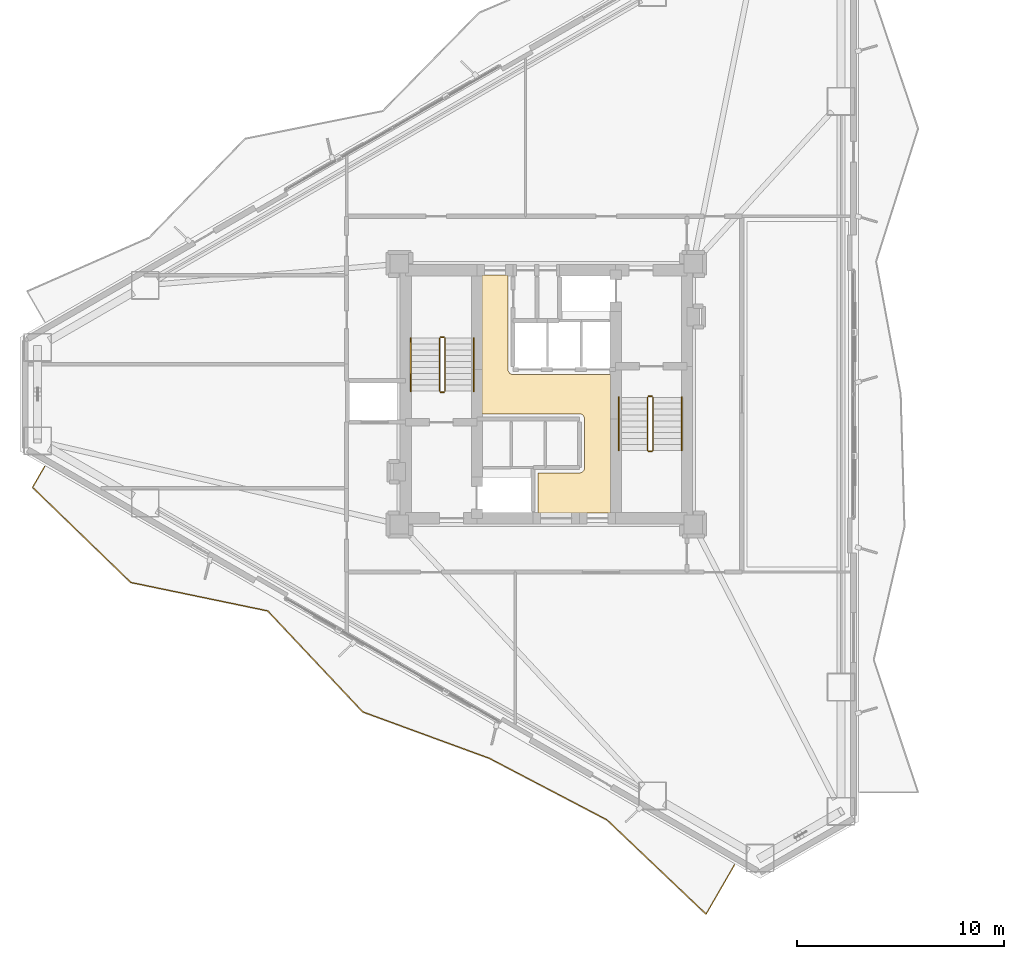
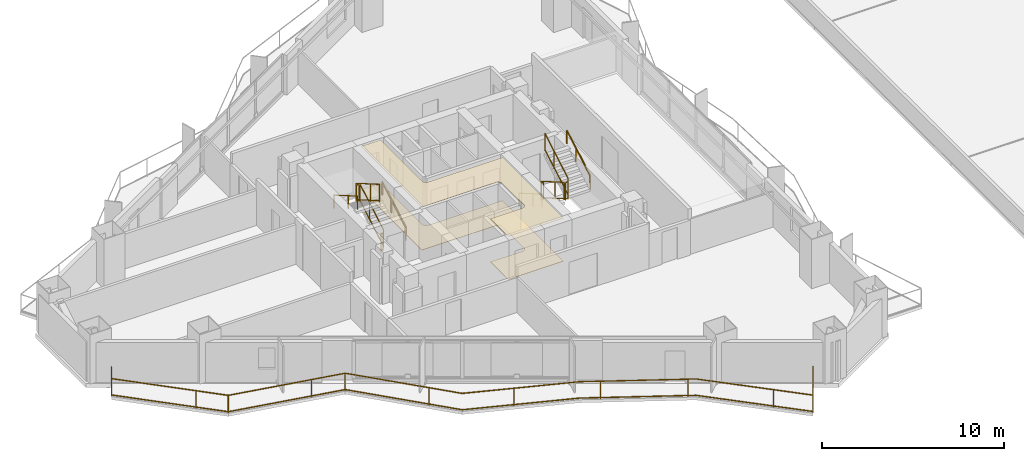
# One storey, part 15 of 16: 13 railings, 2 coverings.
"""IFC4 building model written with IfcOpenShell, lengths in metres."""

from ifc_helpers import new_model, si_unit, direction, frame, origin, origin_2d, place, context, subcontext, project, spatial, polyline, rectangle, outline, extrude, material, layer, layer_set, type_object, element, save


model = new_model("IFC4")

# Units and contexts
model_context = context("Model", 3, precision=1e-05, world=origin(), true_north=direction((0.0, 1.0)))
body_context = subcontext(model_context, "Body", "Model", "MODEL_VIEW")
ifc_project = project(units=[si_unit("LENGTHUNIT", "METRE"), si_unit("AREAUNIT", "SQUARE_METRE"), si_unit("VOLUMEUNIT", "CUBIC_METRE"), si_unit("PLANEANGLEUNIT", "RADIAN"), si_unit("MASSUNIT", "GRAM", prefix="KILO")], contexts=[model_context])

# Site, building, storey
site_placement = place(None, origin())
site = spatial("IfcSite", under=ifc_project, at=site_placement, CompositionType="ELEMENT")
building_placement = place(site_placement, origin())
building = spatial("IfcBuilding", under=site, at=building_placement, Name="Mersakhor Tower and Convention Hall", CompositionType="ELEMENT")
storey_placement = place(building_placement, frame((0.0, 0.0, 19.199951171875)))
storey = spatial("IfcBuildingStorey", under=building, at=storey_placement, Name="L04", CompositionType="ELEMENT", Elevation=19.199951171875)

# Coverings
ifc_material_1 = material(Name="Acoustic mineral-fibre suspended ceiling", Category="other")
ifc_layer_1 = layer(ifc_material_1, 0.02490234375)
ifc_layer_set_1 = layer_set([ifc_layer_1], Name="Acoustic mineral-fibre suspended ceiling")
covering_type_1 = type_object("IfcCoveringType", Name="COV-CLG-25", PredefinedType="CEILING", material=ifc_layer_set_1)
covering_1_placement = place(storey_placement, frame((0.0, 0.0, 2.880126953125)))
element("IfcCovering", 1, at=covering_1_placement, inside=storey, type_object=covering_type_1, Name="L04 Central Passenger Lift Lobby Acoustic Suspended Ceiling", PredefinedType="CEILING", context=body_context, shape_type="SweptSolid", body=[
    extrude(outline(polyline([(28.60009765625, 22.949951171875), (30.60009765625, 22.949951171875), (30.62451171875, 22.951171875), (30.648681640625, 22.954833984375), (30.672607421875, 22.960693359375), (30.69580078125, 22.968994140625), (30.7177734375, 22.9794921875), (30.739013671875, 22.9921875), (30.758544921875, 23.006591796875), (30.77685546875, 23.023193359375), (30.793212890625, 23.04150390625), (30.807861328125, 23.06103515625), (30.820556640625, 23.082275390625), (30.8310546875, 23.104248046875), (30.839111328125, 23.12744140625), (30.84521484375, 23.151123046875), (30.848876953125, 23.175537109375), (30.85009765625, 23.199951171875), (30.85009765625, 25.550048828125), (30.848876953125, 25.574462890625), (30.84521484375, 25.598876953125), (30.839111328125, 25.62255859375), (30.8310546875, 25.645751953125), (30.820556640625, 25.667724609375), (30.807861328125, 25.68896484375), (30.793212890625, 25.70849609375), (30.77685546875, 25.726806640625), (30.758544921875, 25.743408203125), (30.739013671875, 25.7578125), (30.7177734375, 25.7705078125), (30.69580078125, 25.781005859375), (30.672607421875, 25.789306640625), (30.648681640625, 25.795166015625), (30.62451171875, 25.798828125), (30.60009765625, 25.800048828125), (25.89990234375, 25.800048828125), (25.89990234375, 32.5), (27.14990234375, 32.5), (27.14990234375, 27.949951171875), (27.151123046875, 27.925537109375), (27.15478515625, 27.901123046875), (27.160888671875, 27.87744140625), (27.1689453125, 27.854248046875), (27.179443359375, 27.832275390625), (27.192138671875, 27.81103515625), (27.206787109375, 27.79150390625), (27.22314453125, 27.773193359375), (27.241455078125, 27.756591796875), (27.260986328125, 27.7421875), (27.2822265625, 27.7294921875), (27.30419921875, 27.718994140625), (27.327392578125, 27.710693359375), (27.351318359375, 27.704833984375), (27.37548828125, 27.701171875), (27.39990234375, 27.699951171875), (32.10009765625, 27.699951171875), (32.10009765625, 21.0), (28.60009765625, 21.0), (28.60009765625, 22.949951171875)])), origin(), (0.0, 0.0, 1.0), 0.02490234375),
])
ifc_material_2 = material(Name="Polished porcelain tile flooring", Category="other")
ifc_layer_2 = layer(ifc_material_2, 0.02001953125)
ifc_layer_set_2 = layer_set([ifc_layer_2], Name="Polished porcelain tile flooring")
covering_type_2 = type_object("IfcCoveringType", Name="COV-FLR-20", PredefinedType="FLOORING", material=ifc_layer_set_2)
covering_2_placement = place(storey_placement, origin())
element("IfcCovering", 2, at=covering_2_placement, inside=storey, type_object=covering_type_2, Name="L04 Central Passenger Lift Lobby Porcelain Floor Finish", PredefinedType="FLOORING", context=body_context, shape_type="SweptSolid", body=[
    extrude(outline(polyline([(28.60009765625, 22.949951171875), (30.60009765625, 22.949951171875), (30.62451171875, 22.951171875), (30.648681640625, 22.954833984375), (30.672607421875, 22.960693359375), (30.69580078125, 22.968994140625), (30.7177734375, 22.9794921875), (30.739013671875, 22.9921875), (30.758544921875, 23.006591796875), (30.77685546875, 23.023193359375), (30.793212890625, 23.04150390625), (30.807861328125, 23.06103515625), (30.820556640625, 23.082275390625), (30.8310546875, 23.104248046875), (30.839111328125, 23.12744140625), (30.84521484375, 23.151123046875), (30.848876953125, 23.175537109375), (30.85009765625, 23.199951171875), (30.85009765625, 25.550048828125), (30.848876953125, 25.574462890625), (30.84521484375, 25.598876953125), (30.839111328125, 25.62255859375), (30.8310546875, 25.645751953125), (30.820556640625, 25.667724609375), (30.807861328125, 25.68896484375), (30.793212890625, 25.70849609375), (30.77685546875, 25.726806640625), (30.758544921875, 25.743408203125), (30.739013671875, 25.7578125), (30.7177734375, 25.7705078125), (30.69580078125, 25.781005859375), (30.672607421875, 25.789306640625), (30.648681640625, 25.795166015625), (30.62451171875, 25.798828125), (30.60009765625, 25.800048828125), (25.89990234375, 25.800048828125), (25.89990234375, 32.5), (27.14990234375, 32.5), (27.14990234375, 27.949951171875), (27.151123046875, 27.925537109375), (27.15478515625, 27.901123046875), (27.160888671875, 27.87744140625), (27.1689453125, 27.854248046875), (27.179443359375, 27.832275390625), (27.192138671875, 27.81103515625), (27.206787109375, 27.79150390625), (27.22314453125, 27.773193359375), (27.241455078125, 27.756591796875), (27.260986328125, 27.7421875), (27.2822265625, 27.7294921875), (27.30419921875, 27.718994140625), (27.327392578125, 27.710693359375), (27.351318359375, 27.704833984375), (27.37548828125, 27.701171875), (27.39990234375, 27.699951171875), (32.10009765625, 27.699951171875), (32.10009765625, 21.0), (28.60009765625, 21.0), (28.60009765625, 22.949951171875)])), origin(), (0.0, 0.0, 1.0), 0.02001953125),
])

# Railings
ifc_material_3 = material(Name="Powder-coated galvanised steel and laminated glass balustrade", Category="steel")
railing_type_1 = type_object("IfcRailingType", Name="RL-BAL-1200", PredefinedType="BALUSTRADE", material=ifc_material_3)
railing_1_placement = place(storey_placement, frame((4.75048828125, 23.256591796875, 0.0)))
element("IfcRailing", 3, at=railing_1_placement, inside=storey, type_object=railing_type_1, Name="L04 Sinusoidal Balcony Balustrade F3", PredefinedType="BALUSTRADE", context=body_context, shape_type="SweptSolid", body=[
    extrude(rectangle(XDim=0.048095703125, YDim=0.048095703125, at=origin_2d()), frame((0.0, 0.0, 1.17578125), z_axis=(-0.499983322773, -0.866035032172, 0.0), x_axis=(0.866035032172, -0.499983322773, 0.0)), (0.0, 0.0, 1.0), 1.1611328125),
    extrude(rectangle(XDim=0.048095703125, YDim=0.048095703125, at=origin_2d()), frame((0.0, 0.0, 0.080078125), z_axis=(-0.499983322773, -0.866035032172, 0.0), x_axis=(0.866035032172, -0.499983322773, 0.0)), (0.0, 0.0, 1.0), 1.1611328125),
    extrude(rectangle(XDim=0.048095703125, YDim=0.048095703125, at=origin_2d()), frame((-0.58056640625, -1.005615234375, 1.17578125), z_axis=(0.718598572669, -0.695425115565, 0.0), x_axis=(0.695425115565, 0.718598572669, 0.0)), (0.0, 0.0, 1.0), 6.6162109375),
    extrude(rectangle(XDim=0.048095703125, YDim=0.048095703125, at=origin_2d()), frame((-0.58056640625, -1.005615234375, 0.080078125), z_axis=(0.718598572669, -0.695425115565, 0.0), x_axis=(0.695425115565, 0.718598572669, 0.0)), (0.0, 0.0, 1.0), 6.6162109375),
    extrude(rectangle(XDim=0.048095703125, YDim=0.048095703125, at=origin_2d()), frame((4.173828125, -5.606689453125, 1.17578125), z_axis=(0.979116339414, -0.203300747398, 0.0), x_axis=(0.203300747398, 0.979116339414, 0.0)), (0.0, 0.0, 1.0), 6.758544921875),
    extrude(rectangle(XDim=0.048095703125, YDim=0.048095703125, at=origin_2d()), frame((4.173828125, -5.606689453125, 0.080078125), z_axis=(0.979116339414, -0.203300747398, 0.0), x_axis=(0.203300747398, 0.979116339414, 0.0)), (0.0, 0.0, 1.0), 6.758544921875),
    extrude(rectangle(XDim=0.048095703125, YDim=0.048095703125, at=origin_2d()), frame((10.791259765625, -6.980712890625, 1.17578125), z_axis=(0.68515788321, -0.728394587483, 0.0), x_axis=(0.728394587483, 0.68515788321, 0.0)), (0.0, 0.0, 1.0), 6.70263671875),
    extrude(rectangle(XDim=0.048095703125, YDim=0.048095703125, at=origin_2d()), frame((10.791259765625, -6.980712890625, 0.080078125), z_axis=(0.68515788321, -0.728394587483, 0.0), x_axis=(0.728394587483, 0.68515788321, 0.0)), (0.0, 0.0, 1.0), 6.70263671875),
    extrude(rectangle(XDim=0.048095703125, YDim=0.048095703125, at=origin_2d()), frame((15.383544921875, -11.86279296875, 1.17578125), z_axis=(0.938913860817, -0.344152236614, 0.0), x_axis=(0.344152236614, 0.938913860817, 0.0)), (0.0, 0.0, 1.0), 6.514404296875),
    extrude(rectangle(XDim=0.048095703125, YDim=0.048095703125, at=origin_2d()), frame((15.383544921875, -11.86279296875, 0.080078125), z_axis=(0.938913860817, -0.344152236614, 0.0), x_axis=(0.344152236614, 0.938913860817, 0.0)), (0.0, 0.0, 1.0), 6.514404296875),
    extrude(rectangle(XDim=0.048095703125, YDim=0.048095703125, at=origin_2d()), frame((21.5, -14.104736328125, 1.17578125), z_axis=(0.885940865055, -0.46379821434, 0.0), x_axis=(0.46379821434, 0.885940865055, 0.0)), (0.0, 0.0, 1.0), 6.423583984375),
    extrude(rectangle(XDim=0.048095703125, YDim=0.048095703125, at=origin_2d()), frame((21.5, -14.104736328125, 0.080078125), z_axis=(0.885940865055, -0.46379821434, 0.0), x_axis=(0.46379821434, 0.885940865055, 0.0)), (0.0, 0.0, 1.0), 6.423583984375),
    extrude(rectangle(XDim=0.048095703125, YDim=0.048095703125, at=origin_2d()), frame((27.19091796875, -17.083984375, 1.17578125), z_axis=(0.724633723828, -0.689134215006, 0.0), x_axis=(0.689134215006, 0.724633723828, 0.0)), (0.0, 0.0, 1.0), 6.602294921875),
    extrude(rectangle(XDim=0.048095703125, YDim=0.048095703125, at=origin_2d()), frame((27.19091796875, -17.083984375, 0.080078125), z_axis=(0.724633723828, -0.689134215006, 0.0), x_axis=(0.689134215006, 0.724633723828, 0.0)), (0.0, 0.0, 1.0), 6.602294921875),
    extrude(rectangle(XDim=0.048095703125, YDim=0.048095703125, at=origin_2d()), frame((31.97509765625, -21.6337890625, 1.17578125), z_axis=(0.499999305434, 0.866025804792, 0.0), x_axis=(-0.866025804792, 0.499999305434, 0.0)), (0.0, 0.0, 1.0), 2.748046875),
    extrude(rectangle(XDim=0.048095703125, YDim=0.048095703125, at=origin_2d()), frame((31.97509765625, -21.6337890625, 0.080078125), z_axis=(0.499999305434, 0.866025804792, 0.0), x_axis=(-0.866025804792, 0.499999305434, 0.0)), (0.0, 0.0, 1.0), 2.748046875),
    extrude(rectangle(XDim=0.0419921875, YDim=0.0419921875, at=origin_2d()), origin(), (0.0, 0.0, 1.0), 1.15185546875),
    extrude(rectangle(XDim=0.0419921875, YDim=0.0419921875, at=origin_2d()), frame((-0.58056640625, -1.005615234375, 0.0)), (0.0, 0.0, 1.0), 1.15185546875),
    extrude(rectangle(XDim=0.0419921875, YDim=0.0419921875, at=origin_2d()), frame((2.86865234375, -4.34375, 0.0)), (0.0, 0.0, 1.0), 1.15185546875),
    extrude(rectangle(XDim=0.0419921875, YDim=0.0419921875, at=origin_2d()), frame((4.173828125, -5.606689453125, 0.0)), (0.0, 0.0, 1.0), 1.15185546875),
    extrude(rectangle(XDim=0.0419921875, YDim=0.0419921875, at=origin_2d()), frame((8.87353515625, -6.58251953125, 0.0)), (0.0, 0.0, 1.0), 1.15185546875),
    extrude(rectangle(XDim=0.0419921875, YDim=0.0419921875, at=origin_2d()), frame((10.791259765625, -6.980712890625, 0.0)), (0.0, 0.0, 1.0), 1.15185546875),
    extrude(rectangle(XDim=0.0419921875, YDim=0.0419921875, at=origin_2d()), frame((14.080078125, -10.47705078125, 0.0)), (0.0, 0.0, 1.0), 1.15185546875),
    extrude(rectangle(XDim=0.0419921875, YDim=0.0419921875, at=origin_2d()), frame((18.10400390625, -12.85986328125, 0.0)), (0.0, 0.0, 1.0), 1.15185546875),
    extrude(rectangle(XDim=0.0419921875, YDim=0.0419921875, at=origin_2d()), frame((22.548095703125, -14.653564453125, 0.0)), (0.0, 0.0, 1.0), 1.15185546875),
    extrude(rectangle(XDim=0.0419921875, YDim=0.0419921875, at=origin_2d()), frame((26.80078125, -16.879638671875, 0.0)), (0.0, 0.0, 1.0), 1.15185546875),
    extrude(rectangle(XDim=0.0419921875, YDim=0.0419921875, at=origin_2d()), frame((30.349853515625, -20.08837890625, 0.0)), (0.0, 0.0, 1.0), 1.15185546875),
    extrude(rectangle(XDim=0.0419921875, YDim=0.0419921875, at=origin_2d()), frame((31.97509765625, -21.6337890625, 0.0)), (0.0, 0.0, 1.0), 1.15185546875),
    extrude(rectangle(XDim=0.0419921875, YDim=0.0419921875, at=origin_2d()), frame((33.34912109375, -19.25390625, 0.0)), (0.0, 0.0, 1.0), 1.15185546875),
])
ifc_material_4 = material(Name="Brushed stainless steel handrail", Category="steel")
railing_type_2 = type_object("IfcRailingType", Name="RL-HR-900", PredefinedType="HANDRAIL", material=ifc_material_4)
railing_2_placement = place(storey_placement, frame((25.5, 26.89990234375, 0.1650390625)))
element("IfcRailing", 4, at=railing_2_placement, inside=storey, type_object=railing_type_2, Name="L04 ST-1 stair handrail 1", PredefinedType="HANDRAIL", context=body_context, shape_type="SweptSolid", body=[
    extrude(rectangle(XDim=0.048095703125, YDim=0.048095703125, at=origin_2d()), frame((0.0, 0.0, 0.8759765625), z_axis=(0.0, 0.865426285481, 0.501036270542), x_axis=(-1.0, 0.0, 0.0)), (0.0, 0.0, 1.0), 2.964111328125),
    extrude(rectangle(XDim=0.0419921875, YDim=0.0419921875, at=origin_2d()), origin(), (0.0, 0.0, 1.0), 0.851806640625),
    extrude(rectangle(XDim=0.0419921875, YDim=0.0419921875, at=origin_2d()), frame((0.0, 1.557861328125, 0.90185546875)), (0.0, 0.0, 1.0), 0.851806640625),
    extrude(rectangle(XDim=0.0419921875, YDim=0.0419921875, at=origin_2d()), frame((0.0, 2.565185546875, 1.485107421875)), (0.0, 0.0, 1.0), 0.851806640625),
])
for number, where, name in (
    (5, (22.449951171875, 29.465087890625, 1.81494140625), "L04 ST-1 stair handrail 2"),
    (6, (32.5, 26.60009765625, 0.1650390625), "L04 ST-2 stair handrail 1"),
):
    element("IfcRailing", number, at=place(storey_placement, frame(where)), inside=storey, type_object=railing_type_2, Name=name, PredefinedType="HANDRAIL", context=body_context, shape_type="SweptSolid", body=[
        extrude(rectangle(XDim=0.048095703125, YDim=0.048095703125, at=origin_2d()), frame((0.0, 0.0, 0.8759765625), z_axis=(0.0, -0.865426285481, 0.501036270542), x_axis=(1.0, 0.0, 0.0)), (0.0, 0.0, 1.0), 2.964111328125),
        extrude(rectangle(XDim=0.0419921875, YDim=0.0419921875, at=origin_2d()), origin(), (0.0, 0.0, 1.0), 0.851806640625),
        extrude(rectangle(XDim=0.0419921875, YDim=0.0419921875, at=origin_2d()), frame((0.0, -1.557861328125, 0.90185546875)), (0.0, 0.0, 1.0), 0.851806640625),
        extrude(rectangle(XDim=0.0419921875, YDim=0.0419921875, at=origin_2d()), frame((0.0, -2.565185546875, 1.485107421875)), (0.0, 0.0, 1.0), 0.851806640625),
    ])
railing_3_placement = place(storey_placement, frame((35.550048828125, 24.034912109375, 1.81494140625)))
element("IfcRailing", 7, at=railing_3_placement, inside=storey, type_object=railing_type_2, Name="L04 ST-2 stair handrail 2", PredefinedType="HANDRAIL", context=body_context, shape_type="SweptSolid", body=[
    extrude(rectangle(XDim=0.048095703125, YDim=0.048095703125, at=origin_2d()), frame((0.0, 0.0, 0.8759765625), z_axis=(0.0, 0.865426285481, 0.501036270542), x_axis=(-1.0, 0.0, 0.0)), (0.0, 0.0, 1.0), 2.964111328125),
    extrude(rectangle(XDim=0.0419921875, YDim=0.0419921875, at=origin_2d()), origin(), (0.0, 0.0, 1.0), 0.851806640625),
    extrude(rectangle(XDim=0.0419921875, YDim=0.0419921875, at=origin_2d()), frame((0.0, 1.557861328125, 0.90185546875)), (0.0, 0.0, 1.0), 0.851806640625),
    extrude(rectangle(XDim=0.0419921875, YDim=0.0419921875, at=origin_2d()), frame((0.0, 2.565185546875, 1.485107421875)), (0.0, 0.0, 1.0), 0.851806640625),
])
ifc_material_5 = material(Name="Painted steel stair balustrade S355", Category="steel")
railing_type_3 = type_object("IfcRailingType", Name="RL-STG-1200", PredefinedType="BALUSTRADE", material=ifc_material_5)
railing_4_placement = place(storey_placement, frame((24.10009765625, 26.89990234375, 0.1650390625)))
element("IfcRailing", 8, at=railing_4_placement, inside=storey, type_object=railing_type_3, Name="L04 ST-1 stair guard 1", PredefinedType="BALUSTRADE", context=body_context, shape_type="SweptSolid", body=[
    extrude(rectangle(XDim=0.048095703125, YDim=0.048095703125, at=origin_2d()), frame((0.0, 0.0, 1.17578125), z_axis=(0.0, 0.865426285481, 0.501036270542), x_axis=(-1.0, 0.0, 0.0)), (0.0, 0.0, 1.0), 2.964111328125),
    extrude(rectangle(XDim=0.048095703125, YDim=0.048095703125, at=origin_2d()), frame((0.0, 0.0, 0.080078125), z_axis=(0.0, 0.865426285481, 0.501036270542), x_axis=(-1.0, 0.0, 0.0)), (0.0, 0.0, 1.0), 2.964111328125),
    extrude(rectangle(XDim=0.0419921875, YDim=0.0419921875, at=origin_2d()), origin(), (0.0, 0.0, 1.0), 1.15185546875),
    extrude(rectangle(XDim=0.0419921875, YDim=0.0419921875, at=origin_2d()), frame((0.0, 1.557861328125, 0.90185546875)), (0.0, 0.0, 1.0), 1.15185546875),
    extrude(rectangle(XDim=0.0419921875, YDim=0.0419921875, at=origin_2d()), frame((0.0, 2.565185546875, 1.485107421875)), (0.0, 0.0, 1.0), 1.15185546875),
])
railing_5_placement = place(storey_placement, frame((24.050048828125, 29.514892578125, 1.650146484375)))
element("IfcRailing", 9, at=railing_5_placement, inside=storey, type_object=railing_type_3, Name="L04 ST-1 stair guard 2", PredefinedType="BALUSTRADE", context=body_context, shape_type="SweptSolid", body=[
    extrude(rectangle(XDim=0.048095703125, YDim=0.048095703125, at=origin_2d()), frame((0.0, 0.0, 1.17578125), z_axis=(-1.0, 0.0, 0.0), x_axis=(0.0, -1.0, 0.0)), (0.0, 0.0, 1.0), 0.150146484375),
    extrude(rectangle(XDim=0.048095703125, YDim=0.048095703125, at=origin_2d()), frame((0.0, 0.0, 0.080078125), z_axis=(-1.0, 0.0, 0.0), x_axis=(0.0, -1.0, 0.0)), (0.0, 0.0, 1.0), 0.150146484375),
    extrude(rectangle(XDim=0.0419921875, YDim=0.0419921875, at=origin_2d()), origin(), (0.0, 0.0, 1.0), 1.15185546875),
    extrude(rectangle(XDim=0.0419921875, YDim=0.0419921875, at=origin_2d()), frame((-0.150146484375, 0.0, 0.0)), (0.0, 0.0, 1.0), 1.15185546875),
])
railing_6_placement = place(storey_placement, frame((23.85009765625, 29.465087890625, 1.81494140625)))
element("IfcRailing", 10, at=railing_6_placement, inside=storey, type_object=railing_type_3, Name="L04 ST-1 stair guard 3", PredefinedType="BALUSTRADE", context=body_context, shape_type="SweptSolid", body=[
    extrude(rectangle(XDim=0.048095703125, YDim=0.048095703125, at=origin_2d()), frame((0.0, 0.0, 1.17578125), z_axis=(0.0, -0.865426285481, 0.501036270542), x_axis=(1.0, 0.0, 0.0)), (0.0, 0.0, 1.0), 2.964111328125),
    extrude(rectangle(XDim=0.048095703125, YDim=0.048095703125, at=origin_2d()), frame((0.0, 0.0, 0.080078125), z_axis=(0.0, -0.865426285481, 0.501036270542), x_axis=(1.0, 0.0, 0.0)), (0.0, 0.0, 1.0), 2.964111328125),
    extrude(rectangle(XDim=0.0419921875, YDim=0.0419921875, at=origin_2d()), origin(), (0.0, 0.0, 1.0), 1.15185546875),
    extrude(rectangle(XDim=0.0419921875, YDim=0.0419921875, at=origin_2d()), frame((0.0, -1.557861328125, 0.90185546875)), (0.0, 0.0, 1.0), 1.15185546875),
    extrude(rectangle(XDim=0.0419921875, YDim=0.0419921875, at=origin_2d()), frame((0.0, -2.565185546875, 1.485107421875)), (0.0, 0.0, 1.0), 1.15185546875),
])
railing_7_placement = place(storey_placement, frame((24.050048828125, 26.85009765625, 0.0)))
element("IfcRailing", 11, at=railing_7_placement, inside=storey, type_object=railing_type_3, Name="L04 ST-1 stair guard 4", PredefinedType="BALUSTRADE", context=body_context, shape_type="SweptSolid", body=[
    extrude(rectangle(XDim=0.048095703125, YDim=0.048095703125, at=origin_2d()), frame((0.0, 0.0, 1.17578125), z_axis=(-1.0, 0.0, 0.0), x_axis=(0.0, -1.0, 0.0)), (0.0, 0.0, 1.0), 0.150146484375),
    extrude(rectangle(XDim=0.048095703125, YDim=0.048095703125, at=origin_2d()), frame((0.0, 0.0, 0.080078125), z_axis=(-1.0, 0.0, 0.0), x_axis=(0.0, -1.0, 0.0)), (0.0, 0.0, 1.0), 0.150146484375),
    extrude(rectangle(XDim=0.0419921875, YDim=0.0419921875, at=origin_2d()), origin(), (0.0, 0.0, 1.0), 1.15185546875),
    extrude(rectangle(XDim=0.0419921875, YDim=0.0419921875, at=origin_2d()), frame((-0.150146484375, 0.0, 0.0)), (0.0, 0.0, 1.0), 1.15185546875),
])
railing_8_placement = place(storey_placement, frame((33.89990234375, 26.60009765625, 0.1650390625)))
element("IfcRailing", 12, at=railing_8_placement, inside=storey, type_object=railing_type_3, Name="L04 ST-2 stair guard 1", PredefinedType="BALUSTRADE", context=body_context, shape_type="SweptSolid", body=[
    extrude(rectangle(XDim=0.048095703125, YDim=0.048095703125, at=origin_2d()), frame((0.0, 0.0, 1.17578125), z_axis=(0.0, -0.865426285481, 0.501036270542), x_axis=(1.0, 0.0, 0.0)), (0.0, 0.0, 1.0), 2.964111328125),
    extrude(rectangle(XDim=0.048095703125, YDim=0.048095703125, at=origin_2d()), frame((0.0, 0.0, 0.080078125), z_axis=(0.0, -0.865426285481, 0.501036270542), x_axis=(1.0, 0.0, 0.0)), (0.0, 0.0, 1.0), 2.964111328125),
    extrude(rectangle(XDim=0.0419921875, YDim=0.0419921875, at=origin_2d()), origin(), (0.0, 0.0, 1.0), 1.15185546875),
    extrude(rectangle(XDim=0.0419921875, YDim=0.0419921875, at=origin_2d()), frame((0.0, -1.557861328125, 0.90185546875)), (0.0, 0.0, 1.0), 1.15185546875),
    extrude(rectangle(XDim=0.0419921875, YDim=0.0419921875, at=origin_2d()), frame((0.0, -2.565185546875, 1.485107421875)), (0.0, 0.0, 1.0), 1.15185546875),
])
railing_9_placement = place(storey_placement, frame((33.949951171875, 23.985107421875, 1.650146484375)))
element("IfcRailing", 13, at=railing_9_placement, inside=storey, type_object=railing_type_3, Name="L04 ST-2 stair guard 2", PredefinedType="BALUSTRADE", context=body_context, shape_type="SweptSolid", body=[
    extrude(rectangle(XDim=0.048095703125, YDim=0.048095703125, at=origin_2d()), frame((0.0, 0.0, 1.17578125), z_axis=(1.0, 0.0, 0.0), x_axis=(0.0, 1.0, 0.0)), (0.0, 0.0, 1.0), 0.150146484375),
    extrude(rectangle(XDim=0.048095703125, YDim=0.048095703125, at=origin_2d()), frame((0.0, 0.0, 0.080078125), z_axis=(1.0, 0.0, 0.0), x_axis=(0.0, 1.0, 0.0)), (0.0, 0.0, 1.0), 0.150146484375),
    extrude(rectangle(XDim=0.0419921875, YDim=0.0419921875, at=origin_2d()), origin(), (0.0, 0.0, 1.0), 1.15185546875),
    extrude(rectangle(XDim=0.0419921875, YDim=0.0419921875, at=origin_2d()), frame((0.150146484375, 0.0, 0.0)), (0.0, 0.0, 1.0), 1.15185546875),
])
railing_10_placement = place(storey_placement, frame((34.14990234375, 24.034912109375, 1.81494140625)))
element("IfcRailing", 14, at=railing_10_placement, inside=storey, type_object=railing_type_3, Name="L04 ST-2 stair guard 3", PredefinedType="BALUSTRADE", context=body_context, shape_type="SweptSolid", body=[
    extrude(rectangle(XDim=0.048095703125, YDim=0.048095703125, at=origin_2d()), frame((0.0, 0.0, 1.17578125), z_axis=(0.0, 0.865426285481, 0.501036270542), x_axis=(-1.0, 0.0, 0.0)), (0.0, 0.0, 1.0), 2.964111328125),
    extrude(rectangle(XDim=0.048095703125, YDim=0.048095703125, at=origin_2d()), frame((0.0, 0.0, 0.080078125), z_axis=(0.0, 0.865426285481, 0.501036270542), x_axis=(-1.0, 0.0, 0.0)), (0.0, 0.0, 1.0), 2.964111328125),
    extrude(rectangle(XDim=0.0419921875, YDim=0.0419921875, at=origin_2d()), origin(), (0.0, 0.0, 1.0), 1.15185546875),
    extrude(rectangle(XDim=0.0419921875, YDim=0.0419921875, at=origin_2d()), frame((0.0, 1.557861328125, 0.90185546875)), (0.0, 0.0, 1.0), 1.15185546875),
    extrude(rectangle(XDim=0.0419921875, YDim=0.0419921875, at=origin_2d()), frame((0.0, 2.565185546875, 1.485107421875)), (0.0, 0.0, 1.0), 1.15185546875),
])
railing_11_placement = place(storey_placement, frame((33.949951171875, 26.64990234375, 0.0)))
element("IfcRailing", 15, at=railing_11_placement, inside=storey, type_object=railing_type_3, Name="L04 ST-2 stair guard 4", PredefinedType="BALUSTRADE", context=body_context, shape_type="SweptSolid", body=[
    extrude(rectangle(XDim=0.048095703125, YDim=0.048095703125, at=origin_2d()), frame((0.0, 0.0, 1.17578125), z_axis=(1.0, 0.0, 0.0), x_axis=(0.0, 1.0, 0.0)), (0.0, 0.0, 1.0), 0.150146484375),
    extrude(rectangle(XDim=0.048095703125, YDim=0.048095703125, at=origin_2d()), frame((0.0, 0.0, 0.080078125), z_axis=(1.0, 0.0, 0.0), x_axis=(0.0, 1.0, 0.0)), (0.0, 0.0, 1.0), 0.150146484375),
    extrude(rectangle(XDim=0.0419921875, YDim=0.0419921875, at=origin_2d()), origin(), (0.0, 0.0, 1.0), 1.15185546875),
    extrude(rectangle(XDim=0.0419921875, YDim=0.0419921875, at=origin_2d()), frame((0.150146484375, 0.0, 0.0)), (0.0, 0.0, 1.0), 1.15185546875),
])

save(model, "model.ifc")
